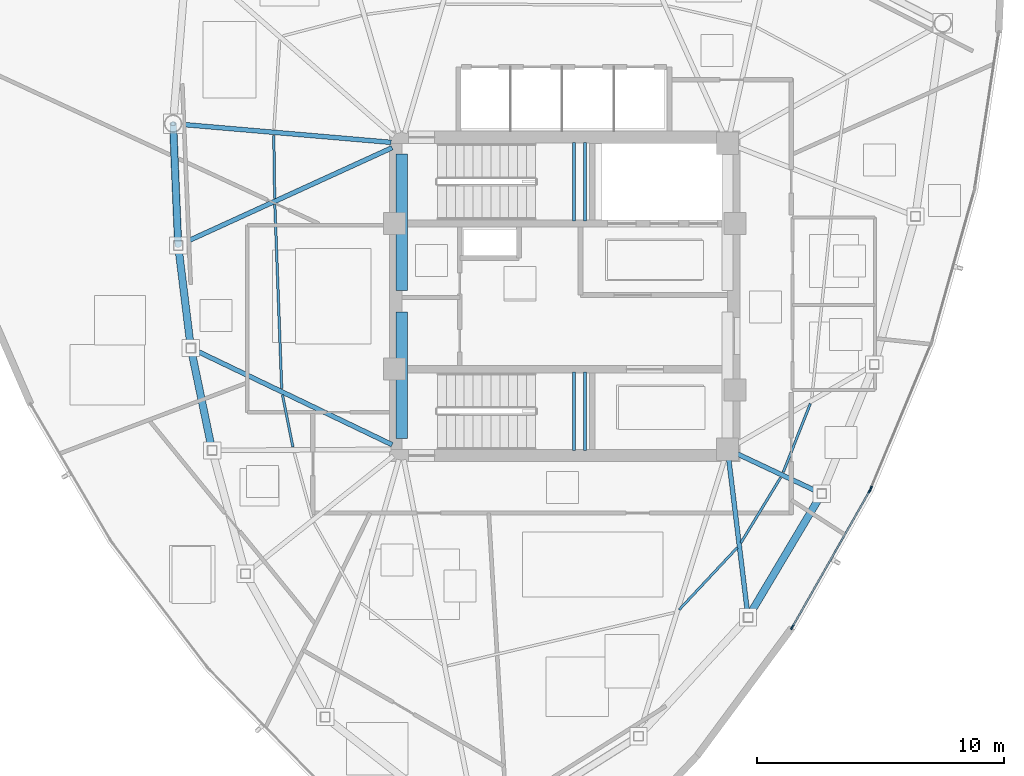
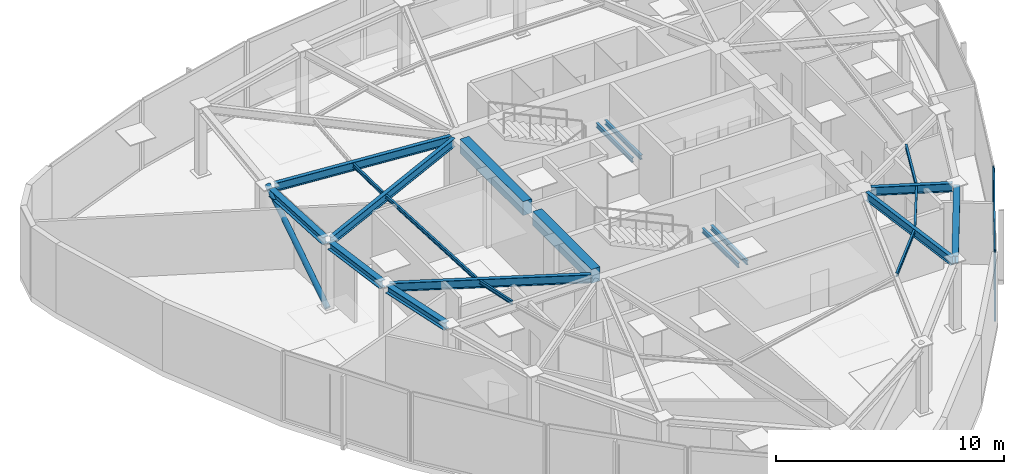
# One storey, part 3 of 11: 21 beams, 6 members, 2 elements without a shape of their own.
"""IFC4 building model written with IfcOpenShell, lengths in metres."""

from ifc_helpers import new_model, si_unit, direction, frame, origin, origin_2d, place, context, subcontext, project, spatial, rectangle, hollow_rectangle, hollow_circle, i_section, extrude, source, transform, mapped, material, layer, layer_set, material_profile, profile_set, type_object, type_shapes, element, aggregate, save


model = new_model("IFC4")

# Units and contexts
model_context = context("Model", 3, precision=1e-05, world=origin(), true_north=direction((0.0, 1.0)))
body_context = subcontext(model_context, "Body", "Model", "MODEL_VIEW")
ifc_project = project(units=[si_unit("LENGTHUNIT", "METRE"), si_unit("AREAUNIT", "SQUARE_METRE"), si_unit("VOLUMEUNIT", "CUBIC_METRE"), si_unit("PLANEANGLEUNIT", "RADIAN"), si_unit("MASSUNIT", "GRAM", prefix="KILO")], contexts=[model_context])

# Site, building, storey
site_placement = place(None, origin())
site = spatial("IfcSite", under=ifc_project, at=site_placement, CompositionType="ELEMENT")
building_placement = place(site_placement, origin())
building = spatial("IfcBuilding", under=site, at=building_placement, Name="Tavelor Broadcast Tower", CompositionType="ELEMENT")
storey_placement = place(building_placement, frame((0.0, 0.0, 313.5)))
storey = spatial("IfcBuildingStorey", under=building, at=storey_placement, Name="L75", CompositionType="ELEMENT", Elevation=313.5)

# Beams
ifc_material_1 = material(Name="Concrete C40/50", Category="concrete")
ifc_material_profile_1 = material_profile(ifc_material_1, rectangle(XDim=0.449951171875, YDim=0.75, at=origin_2d()), Name="RC 450x750")
ifc_profile_set_1 = profile_set([ifc_material_profile_1], Name="Concrete C40/50")
beam_type_1 = type_object("IfcBeamType", Name="Basement Core Trim Beam 450x750", PredefinedType="BEAM", material=ifc_profile_set_1)
beam_1_placement = place(storey_placement, frame((43.39990234375, 45.23193359375, 3.324951171875), z_axis=(0.0, 1.0, 0.0), x_axis=(-1.0, 0.0, 0.0)))
element("IfcBeam", 1, at=beam_1_placement, inside=storey, type_object=beam_type_1, Name="L75 Core West-N Tie Girder", PredefinedType="BEAM", context=body_context, shape_type="SweptSolid", body=[
    extrude(rectangle(XDim=0.449951171875, YDim=0.75, at=origin_2d()), origin(), (0.0, 0.0, 1.0), 5.5361328125),
])
beam_2_placement = place(storey_placement, frame((43.39990234375, 39.23193359375, 3.324951171875), z_axis=(0.0, 1.0, 0.0), x_axis=(-1.0, 0.0, 0.0)))
element("IfcBeam", 2, at=beam_2_placement, inside=storey, type_object=beam_type_1, Name="L75 Core West-S Tie Girder", PredefinedType="BEAM", context=body_context, shape_type="SweptSolid", body=[
    extrude(rectangle(XDim=0.449951171875, YDim=0.75, at=origin_2d()), origin(), (0.0, 0.0, 1.0), 5.135986328125),
])
ifc_material_2 = material(Name="Steel S355", Category="steel")
ifc_material_profile_2 = material_profile(ifc_material_2, i_section(OverallWidth=0.10009765625, OverallDepth=0.199951171875, WebThickness=0.005615234375, FlangeThickness=0.008544921875, at=origin_2d()), Name="IPE 200")
ifc_profile_set_2 = profile_set([ifc_material_profile_2], Name="Steel S355")
beam_type_2 = type_object("IfcBeamType", Name="Composite Floor Joist T8 IPE 200", PredefinedType="JOIST", material=ifc_profile_set_2)
beam_3_placement = place(storey_placement, frame((38.21435546875, 51.521728515625, 3.60009765625), z_axis=(0.014168036859, -0.999899628329, 0.0), x_axis=(0.999899628329, 0.014168036859, 0.0)))
element("IfcBeam", 3, at=beam_3_placement, inside=storey, type_object=beam_type_2, Name="L75 Secondary Composite Floor Joist 01", PredefinedType="JOIST", context=body_context, shape_type="SweptSolid", body=[
    extrude(i_section(OverallWidth=0.10009765625, OverallDepth=0.199951171875, WebThickness=0.005615234375, FlangeThickness=0.008544921875, at=origin_2d()), origin(), (0.0, 0.0, 1.0), 2.55029296875),
])
beam_4_placement = place(storey_placement, frame((38.2568359375, 48.72412109375, 3.60009765625), z_axis=(0.037276284898, -0.999304997778, 0.0), x_axis=(0.999304997778, 0.037276284898, 0.0)))
element("IfcBeam", 4, at=beam_4_placement, inside=storey, type_object=beam_type_2, Name="L75 Secondary Composite Floor Joist 02", PredefinedType="JOIST", context=body_context, shape_type="SweptSolid", body=[
    extrude(i_section(OverallWidth=0.10009765625, OverallDepth=0.199951171875, WebThickness=0.005615234375, FlangeThickness=0.008544921875, at=origin_2d()), origin(), (0.0, 0.0, 1.0), 7.472900390625),
])
beam_5_placement = place(storey_placement, frame((38.564208984375, 41.011474609375, 3.60009765625), z_axis=(0.197508991617, -0.980301075298, 0.0), x_axis=(0.980301075298, 0.197508991617, 0.0)))
element("IfcBeam", 5, at=beam_5_placement, inside=storey, type_object=beam_type_2, Name="L75 Secondary Composite Floor Joist 03", PredefinedType="JOIST", context=body_context, shape_type="SweptSolid", body=[
    extrude(i_section(OverallWidth=0.10009765625, OverallDepth=0.199951171875, WebThickness=0.005615234375, FlangeThickness=0.008544921875, at=origin_2d()), origin(), (0.0, 0.0, 1.0), 2.156982421875),
])
beam_6_placement = place(storey_placement, frame((54.64013671875, 32.302490234375, 3.60009765625), z_axis=(0.683232798119, 0.730200618717, 0.0), x_axis=(-0.730200618717, 0.683232798119, 0.0)))
element("IfcBeam", 6, at=beam_6_placement, inside=storey, type_object=beam_type_2, Name="L75 Secondary Composite Floor Joist 08", PredefinedType="JOIST", context=body_context, shape_type="SweptSolid", body=[
    extrude(i_section(OverallWidth=0.10009765625, OverallDepth=0.199951171875, WebThickness=0.005615234375, FlangeThickness=0.008544921875, at=origin_2d()), origin(), (0.0, 0.0, 1.0), 3.441162109375),
])
beam_7_placement = place(storey_placement, frame((57.139892578125, 35.011474609375, 3.60009765625), z_axis=(0.519987009808, 0.854174168206, 0.0), x_axis=(-0.854174168206, 0.519987009808, 0.0)))
element("IfcBeam", 7, at=beam_7_placement, inside=storey, type_object=beam_type_2, Name="L75 Secondary Composite Floor Joist 09", PredefinedType="JOIST", context=body_context, shape_type="SweptSolid", body=[
    extrude(i_section(OverallWidth=0.10009765625, OverallDepth=0.199951171875, WebThickness=0.005615234375, FlangeThickness=0.008544921875, at=origin_2d()), origin(), (0.0, 0.0, 1.0), 3.09326171875),
])
beam_8_placement = place(storey_placement, frame((58.85791015625, 37.87451171875, 3.60009765625), z_axis=(0.367159090803, 0.930158159692, 0.0), x_axis=(-0.930158159692, 0.367159090803, 0.0)))
element("IfcBeam", 8, at=beam_8_placement, inside=storey, type_object=beam_type_2, Name="L75 Secondary Composite Floor Joist 10", PredefinedType="JOIST", context=body_context, shape_type="SweptSolid", body=[
    extrude(i_section(OverallWidth=0.10009765625, OverallDepth=0.199951171875, WebThickness=0.005615234375, FlangeThickness=0.008544921875, at=origin_2d()), origin(), (0.0, 0.0, 1.0), 2.98681640625),
])
ifc_material_profile_3 = material_profile(ifc_material_2, i_section(OverallWidth=0.300048828125, OverallDepth=0.39990234375, WebThickness=0.013427734375, FlangeThickness=0.02392578125, at=origin_2d()), Name="HEB 400")
ifc_profile_set_3 = profile_set([ifc_material_profile_3], Name="Steel S355")
beam_type_3 = type_object("IfcBeamType", Name="Perimeter Spandrel Beam T8 HEB 400", PredefinedType="SPANDREL", material=ifc_profile_set_3)
beam_9_placement = place(storey_placement, frame((34.149169921875, 51.65478515625, 3.5), z_axis=(0.041837988246, -0.999124408039, 0.0), x_axis=(0.999124408039, 0.041837988246, 0.0)))
element("IfcBeam", 9, at=beam_9_placement, inside=storey, type_object=beam_type_3, Name="L75 Framed-Tube Ring Spandrel 01", PredefinedType="SPANDREL", context=body_context, shape_type="SweptSolid", body=[
    extrude(i_section(OverallWidth=0.300048828125, OverallDepth=0.39990234375, WebThickness=0.013427734375, FlangeThickness=0.02392578125, at=origin_2d()), origin(), (0.0, 0.0, 1.0), 4.40576171875),
])
beam_10_placement = place(storey_placement, frame((34.364990234375, 46.87060546875, 3.5), z_axis=(0.122298070905, -0.992493416529, 0.0), x_axis=(0.992493416529, 0.122298070905, 0.0)))
element("IfcBeam", 10, at=beam_10_placement, inside=storey, type_object=beam_type_3, Name="L75 Framed-Tube Ring Spandrel 02", PredefinedType="SPANDREL", context=body_context, shape_type="SweptSolid", body=[
    extrude(i_section(OverallWidth=0.300048828125, OverallDepth=0.39990234375, WebThickness=0.013427734375, FlangeThickness=0.02392578125, at=origin_2d()), origin(), (0.0, 0.0, 1.0), 3.806884765625),
])
beam_11_placement = place(storey_placement, frame((34.893310546875, 42.7138671875, 3.5), z_axis=(0.203708583251, -0.979031569006, 0.0), x_axis=(0.979031569006, 0.203708583251, 0.0)))
element("IfcBeam", 11, at=beam_11_placement, inside=storey, type_object=beam_type_3, Name="L75 Framed-Tube Ring Spandrel 03", PredefinedType="SPANDREL", context=body_context, shape_type="SweptSolid", body=[
    extrude(i_section(OverallWidth=0.300048828125, OverallDepth=0.39990234375, WebThickness=0.013427734375, FlangeThickness=0.02392578125, at=origin_2d()), origin(), (0.0, 0.0, 1.0), 3.849609375),
])
beam_12_placement = place(storey_placement, frame((57.52978515625, 32.156982421875, 3.5), z_axis=(0.511792514175, 0.859109086458, 0.0), x_axis=(-0.859109086458, 0.511792514175, 0.0)))
element("IfcBeam", 12, at=beam_12_placement, inside=storey, type_object=beam_type_3, Name="L75 Framed-Tube Ring Spandrel 09", PredefinedType="SPANDREL", context=body_context, shape_type="SweptSolid", body=[
    extrude(i_section(OverallWidth=0.300048828125, OverallDepth=0.39990234375, WebThickness=0.013427734375, FlangeThickness=0.02392578125, at=origin_2d()), origin(), (0.0, 0.0, 1.0), 5.450439453125),
])

# Member
ifc_material_profile_4 = material_profile(ifc_material_2, hollow_circle(Radius=0.136474609375, WallThickness=0.012451171875, at=origin_2d()), Name="CHS 273x12.5")
ifc_profile_set_4 = profile_set([ifc_material_profile_4], Name="Steel S355")
member_type_1 = type_object("IfcMemberType", Name="Perimeter Tube Brace T8 CHS 273x12.5", PredefinedType="BRACE", material=ifc_profile_set_4)
member_1_placement = place(storey_placement, frame((34.341552734375, 47.061279296875, 0.0), z_axis=(-0.033508994779, 0.799626685339, 0.599561766095), x_axis=(-0.999123106787, -0.041869051625, 0.0)))
element("IfcMember", 13, at=member_1_placement, inside=storey, type_object=member_type_1, Name="L75 Corner Tube Diagonal Brace 1", PredefinedType="BRACE", context=body_context, shape_type="SweptSolid", body=[
    extrude(hollow_circle(Radius=0.136474609375, WallThickness=0.012451171875, at=origin_2d()), origin(), (0.0, 0.0, 1.0), 6.171142578125),
])

# Beams
ifc_material_profile_5 = material_profile(ifc_material_2, i_section(OverallWidth=0.18994140625, OverallDepth=0.449951171875, WebThickness=0.009521484375, FlangeThickness=0.0146484375, at=origin_2d()), Name="IPE 450")
ifc_profile_set_5 = profile_set([ifc_material_profile_5], Name="Steel S355")
beam_type_4 = type_object("IfcBeamType", Name="Radial Floor Girder T8 IPE 450", PredefinedType="BEAM", material=ifc_profile_set_5)
beam_13_placement = place(storey_placement, frame((42.969482421875, 51.237060546875, 3.47509765625), z_axis=(-0.99633041069, 0.085590377581, 0.0), x_axis=(-0.085590377581, -0.99633041069, 0.0)))
element("IfcBeam", 14, at=beam_13_placement, inside=storey, type_object=beam_type_4, Name="L75 Radial Primary Floor Girder 01", PredefinedType="BEAM", context=body_context, shape_type="SweptSolid", body=[
    extrude(i_section(OverallWidth=0.18994140625, OverallDepth=0.449951171875, WebThickness=0.009521484375, FlangeThickness=0.0146484375, at=origin_2d()), origin(), (0.0, 0.0, 1.0), 8.52587890625),
])
beam_14_placement = place(storey_placement, frame((43.007080078125, 51.0205078125, 3.47509765625), z_axis=(-0.909563172595, -0.4155656808, 0.0), x_axis=(0.4155656808, -0.909563172595, 0.0)))
element("IfcBeam", 15, at=beam_14_placement, inside=storey, type_object=beam_type_4, Name="L75 Radial Primary Floor Girder 02", PredefinedType="BEAM", context=body_context, shape_type="SweptSolid", body=[
    extrude(i_section(OverallWidth=0.18994140625, OverallDepth=0.449951171875, WebThickness=0.009521484375, FlangeThickness=0.0146484375, at=origin_2d()), origin(), (0.0, 0.0, 1.0), 9.335205078125),
])
beam_15_placement = place(storey_placement, frame((43.010498046875, 38.98681640625, 3.47509765625), z_axis=(-0.901533812655, 0.432708660233, 0.0), x_axis=(-0.432708660233, -0.901533812655, 0.0)))
element("IfcBeam", 16, at=beam_15_placement, inside=storey, type_object=beam_type_4, Name="L75 Radial Primary Floor Girder 03", PredefinedType="BEAM", context=body_context, shape_type="SweptSolid", body=[
    extrude(i_section(OverallWidth=0.18994140625, OverallDepth=0.449951171875, WebThickness=0.009521484375, FlangeThickness=0.0146484375, at=origin_2d()), origin(), (0.0, 0.0, 1.0), 8.85546875),
])
beam_16_placement = place(storey_placement, frame((56.65234375, 38.37109375, 3.47509765625), z_axis=(0.121238833005, -0.992623365316, 0.0), x_axis=(0.992623365316, 0.121238833005, 0.0)))
element("IfcBeam", 17, at=beam_16_placement, inside=storey, type_object=beam_type_4, Name="L75 Radial Primary Floor Girder 09", PredefinedType="BEAM", context=body_context, shape_type="SweptSolid", body=[
    extrude(i_section(OverallWidth=0.18994140625, OverallDepth=0.449951171875, WebThickness=0.009521484375, FlangeThickness=0.0146484375, at=origin_2d()), origin(), (0.0, 0.0, 1.0), 6.234375),
])
beam_17_placement = place(storey_placement, frame((56.990966796875, 38.6162109375, 3.47509765625), z_axis=(0.904900260626, -0.425623681578, 0.0), x_axis=(0.425623681578, 0.904900260626, 0.0)))
element("IfcBeam", 18, at=beam_17_placement, inside=storey, type_object=beam_type_4, Name="L75 Radial Primary Floor Girder 10", PredefinedType="BEAM", context=body_context, shape_type="SweptSolid", body=[
    extrude(i_section(OverallWidth=0.18994140625, OverallDepth=0.449951171875, WebThickness=0.009521484375, FlangeThickness=0.0146484375, at=origin_2d()), origin(), (0.0, 0.0, 1.0), 3.5947265625),
])
ifc_material_profile_6 = material_profile(ifc_material_2, i_section(OverallWidth=0.1201171875, OverallDepth=0.239990234375, WebThickness=0.006103515625, FlangeThickness=0.009765625, at=origin_2d()), Name="IPE 240")
ifc_profile_set_6 = profile_set([ifc_material_profile_6], Name="Steel S355")
beam_type_5 = type_object("IfcBeamType", Name="Stairwell Landing Support Trimmer Beam IPE240", PredefinedType="BEAM", material=ifc_profile_set_6)
for number, where, z_axis, x_axis, name in (
    (19, (50.385009765625, 48.06005859375, 1.68505859375), (0.0, 1.0, 0.0), (-1.0, 0.0, 0.0), "L75 Stair Landing Support Beam 191"),
    (20, (50.824951171875, 48.06005859375, 1.68505859375), (0.0, 1.0, 0.0), (-1.0, 0.0, 0.0), "L75 Stair Landing Support Beam 192"),
    (21, (50.385009765625, 38.760009765625, 1.68505859375), (0.0, 1.0, 0.0), (-1.0, 0.0, 0.0), "L75 Stair Landing Support Beam 405"),
    (22, (50.824951171875, 38.760009765625, 1.68505859375), (0.0, 1.0, 0.0), (-1.0, 0.0, 0.0), "L75 Stair Landing Support Beam 406"),
):
    element("IfcBeam", number, at=place(storey_placement, frame(where, z_axis=z_axis, x_axis=x_axis)), inside=storey, type_object=beam_type_5, Name=name, PredefinedType="BEAM", context=body_context, shape_type="SweptSolid", body=[
        extrude(i_section(OverallWidth=0.1201171875, OverallDepth=0.239990234375, WebThickness=0.006103515625, FlangeThickness=0.009765625, at=origin_2d()), origin(), (0.0, 0.0, 1.0), 3.179931640625),
    ])

# Curtain wall, members
ifc_material_3 = material(Name="Architectural Anodized Aluminium", Category="aluminium")
ifc_layer = layer(ifc_material_3, 0.199951171875)
ifc_layer_set = layer_set([ifc_layer], Name="Architectural Anodized Aluminium")
curtain_wall_type = type_object("IfcCurtainWallType", Name="Tower High-Zone Triple-Glazed Curtain Wall CW04", PredefinedType="NOTDEFINED", material=ifc_layer_set)
curtain_wall_1_placement = place(storey_placement, origin())
curtain_wall_1 = element("IfcCurtainWall", 23, at=curtain_wall_1_placement, inside=storey, type_object=curtain_wall_type, Name="L75 Curtain Wall CW04 Run 833", PredefinedType="NOTDEFINED")
ifc_material_profile_7 = material_profile(ifc_material_3, hollow_rectangle(XDim=0.070068359375, YDim=0.199951171875, WallThickness=0.02197265625, at=origin_2d()), Name="RHS 70x200x22")
ifc_profile_set_7 = profile_set([ifc_material_profile_7], Name="Architectural Anodized Aluminium")
member_type_2 = type_object("IfcMemberType", Name="CW04 Extruded Aluminium Mullion 70x200", PredefinedType="MULLION", material=ifc_profile_set_7)
shared_shape_1 = source(origin(), body_context, "Body", "SweptSolid", [
    extrude(hollow_rectangle(XDim=0.070068359375, YDim=0.199951171875, WallThickness=0.02197265625, at=origin_2d()), origin(), (0.0, 0.0, 1.0), 3.699951171875),
])
type_shapes(member_type_2, [shared_shape_1])
member_2_placement = place(storey_placement, frame((59.221923828125, 31.59228515625, 0.0), z_axis=(0.0, 0.0, 1.0), x_axis=(-0.869711891391, 0.493559749142, 0.0)))
member_2 = element("IfcMember", 24, at=member_2_placement, type_object=member_type_2, Name="CW04 mullion 1", PredefinedType="MULLION", context=body_context, shape_type="MappedRepresentation", body=[
    mapped(shared_shape_1, transform((0.0, 0.0, 0.0), scale=1.0)),
])
member_3_placement = place(storey_placement, frame((62.361572265625, 37.125, 0.0), z_axis=(0.0, 0.0, 1.0), x_axis=(-0.869711891391, 0.493559749142, 0.0)))
member_3 = element("IfcMember", 25, at=member_3_placement, type_object=member_type_2, Name="CW04 mullion 2", PredefinedType="MULLION", context=body_context, shape_type="MappedRepresentation", body=[
    mapped(shared_shape_1, transform((0.0, 0.0, 0.0), scale=1.0)),
])

# Curtain wall, member
curtain_wall_2_placement = place(storey_placement, origin())
curtain_wall_2 = element("IfcCurtainWall", 26, at=curtain_wall_2_placement, inside=storey, type_object=curtain_wall_type, Name="L75 Curtain Wall CW04 Run 834", PredefinedType="NOTDEFINED")
member_4_placement = place(storey_placement, frame((62.405517578125, 37.214599609375, 0.0), z_axis=(0.0, 0.0, 1.0), x_axis=(-0.92304418121, 0.384693955678, 0.0)))
member_4 = element("IfcMember", 27, at=member_4_placement, type_object=member_type_2, Name="CW04 mullion 1", PredefinedType="MULLION", context=body_context, shape_type="MappedRepresentation", body=[
    mapped(shared_shape_1, transform((0.0, 0.0, 0.0), scale=1.0)),
])
aggregate(curtain_wall_2, [member_4])

# Member
ifc_material_profile_8 = material_profile(ifc_material_3, hollow_rectangle(XDim=0.070068359375, YDim=0.199951171875, WallThickness=0.02197265625, at=origin_2d()), Name="RHS 70x200x22")
ifc_profile_set_8 = profile_set([ifc_material_profile_8], Name="Architectural Anodized Aluminium")
member_type_3 = type_object("IfcMemberType", Name="CW04 Extruded Aluminium Transom 70x200", PredefinedType="USERDEFINED", material=ifc_profile_set_8)
shared_shape_2 = source(origin(), body_context, "Body", "SweptSolid", [
    extrude(hollow_rectangle(XDim=0.070068359375, YDim=0.199951171875, WallThickness=0.02197265625, at=origin_2d()), origin(), (0.0, 0.0, 1.0), 6.291259765625),
])
type_shapes(member_type_3, [shared_shape_2])
member_5_placement = place(storey_placement, frame((59.2392578125, 31.622802734375, 0.034912109375), z_axis=(0.493537296205, 0.869724633004, 0.0), x_axis=(-0.869724633004, 0.493537296205, 0.0)))
member_5 = element("IfcMember", 28, at=member_5_placement, type_object=member_type_3, Name="CW04 transom 1.1", ObjectType="TRANSOM", PredefinedType="USERDEFINED", context=body_context, shape_type="MappedRepresentation", body=[
    mapped(shared_shape_2, transform((0.0, 0.0, 0.0), scale=1.0)),
])

member_6_placement = place(storey_placement, frame((59.2392578125, 31.622802734375, 3.6650390625), z_axis=(0.493537296205, 0.869724633004, 0.0), x_axis=(-0.869724633004, 0.493537296205, 0.0)))
member_6 = element("IfcMember", 29, at=member_6_placement, type_object=member_type_3, Name="CW04 transom 1.2", ObjectType="TRANSOM", PredefinedType="USERDEFINED", context=body_context, shape_type="MappedRepresentation", body=[
    mapped(shared_shape_2, transform((0.0, 0.0, 0.0), scale=1.0)),
])

aggregate(curtain_wall_1, [member_2, member_3, member_5, member_6])

save(model, "model.ifc")
